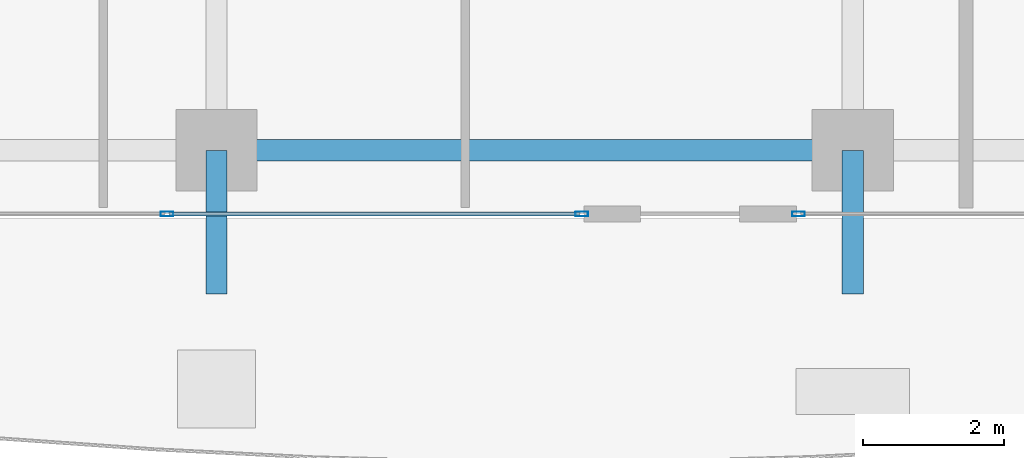
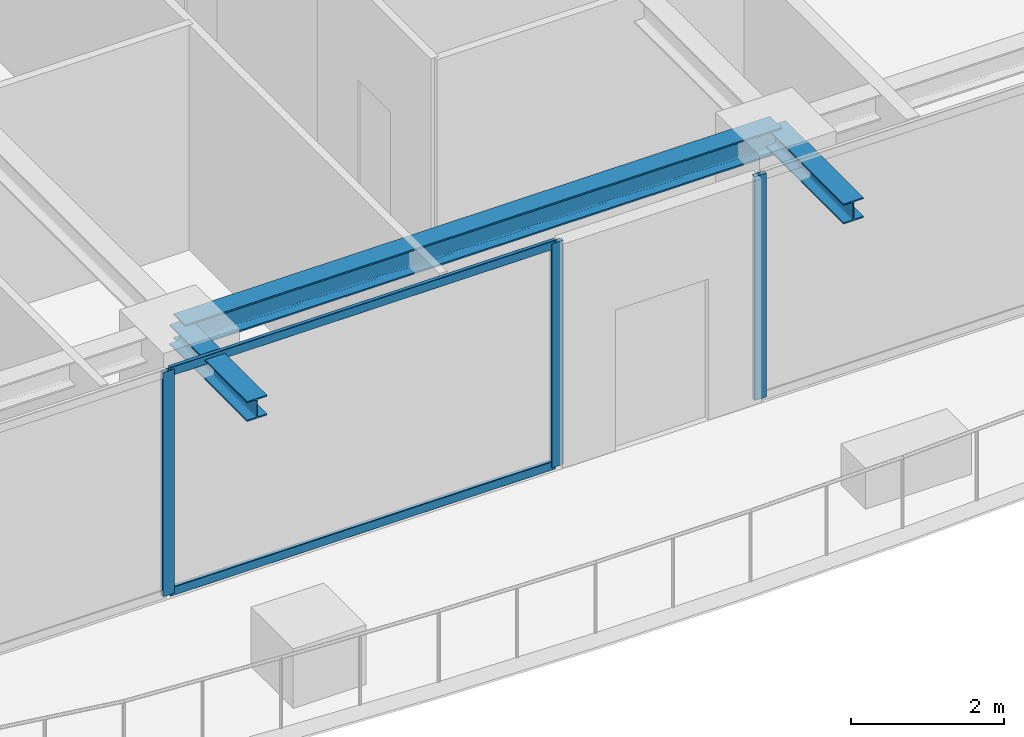
# One storey, part 5 of 38: 5 members, 3 beams, 2 elements without a shape of their own.
"""IFC4 building model written with IfcOpenShell, lengths in metres."""

from ifc_helpers import new_model, si_unit, direction, frame, origin, origin_2d, place, context, subcontext, project, spatial, hollow_rectangle, i_section, extrude, source, transform, mapped, material, layer, layer_set, material_profile, profile_set, type_object, element, aggregate, save


model = new_model("IFC4")

# Units and contexts
model_context = context("Model", 3, precision=1e-05, world=origin(), true_north=direction((0.0, 1.0)))
body_context = subcontext(model_context, "Body", "Model", "MODEL_VIEW")
ifc_project = project(units=[si_unit("LENGTHUNIT", "METRE"), si_unit("AREAUNIT", "SQUARE_METRE"), si_unit("VOLUMEUNIT", "CUBIC_METRE"), si_unit("PLANEANGLEUNIT", "RADIAN"), si_unit("MASSUNIT", "GRAM", prefix="KILO")], contexts=[model_context])

# Site, building, storey
site_placement = place(None, origin())
site = spatial("IfcSite", under=ifc_project, at=site_placement, CompositionType="ELEMENT")
building_placement = place(site_placement, origin())
building = spatial("IfcBuilding", under=site, at=building_placement, Name="Serunith Strait Residences", CompositionType="ELEMENT")
storey_placement = place(building_placement, frame((0.0, 0.0, 229.699951171875)))
storey = spatial("IfcBuildingStorey", under=building, at=storey_placement, Name="L57", CompositionType="ELEMENT", Elevation=229.699951171875)

# Beams
ifc_material_1 = material(Name="Steel S355J2", Category="steel")
ifc_material_profile_1 = material_profile(ifc_material_1, i_section(OverallWidth=0.300048828125, OverallDepth=0.39990234375, WebThickness=0.013427734375, FlangeThickness=0.02392578125, FilletRadius=0.027099609375, at=origin_2d()), Name="HEB 400")
ifc_profile_set_1 = profile_set([ifc_material_profile_1], Name="Steel S355J2")
beam_type_1 = type_object("IfcBeamType", Name="BM-HEB400", PredefinedType="BEAM", material=ifc_profile_set_1)
shared_shape_1 = source(origin(), body_context, "Body", "SweptSolid", [
    extrude(i_section(OverallWidth=0.300048828125, OverallDepth=0.39990234375, WebThickness=0.013427734375, FlangeThickness=0.02392578125, FilletRadius=0.027099609375, at=origin_2d()), origin(), (0.0, 0.0, 1.0), 9.0),
])
beam_placement = place(storey_placement, frame((27.89990234375, 2.10009765625, 3.386962890625), z_axis=(1.0, 0.0, 0.0), x_axis=(0.0, 1.0, 0.0)))
element("IfcBeam", 1, at=beam_placement, inside=storey, type_object=beam_type_1, Name="L57 Perimeter Ring Beam 02", PredefinedType="BEAM", context=body_context, shape_type="MappedRepresentation", body=[
    mapped(shared_shape_1, transform((0.0, 0.0, 0.0), scale=1.0)),
])
ifc_material_profile_2 = material_profile(ifc_material_1, i_section(OverallWidth=0.300048828125, OverallDepth=0.320068359375, WebThickness=0.011474609375, FlangeThickness=0.0205078125, FilletRadius=0.027099609375, at=origin_2d()), Name="HEB 320")
ifc_profile_set_2 = profile_set([ifc_material_profile_2], Name="Steel S355J2")
beam_type_2 = type_object("IfcBeamType", Name="BM-HEB320", PredefinedType="BEAM", material=ifc_profile_set_2)
shared_shape_2 = source(origin(), body_context, "Body", "SweptSolid", [
    extrude(i_section(OverallWidth=0.300048828125, OverallDepth=0.320068359375, WebThickness=0.011474609375, FlangeThickness=0.0205078125, FilletRadius=0.027099609375, at=origin_2d()), origin(), (0.0, 0.0, 1.0), 2.030029296875),
])
for number, where, z_axis, x_axis, name in (
    (2, (27.89990234375, 2.10009765625, 3.39697265625), (0.0, -1.0, 0.0), (1.0, 0.0, 0.0), "L58 Cantilevered Balcony Rib TC-S2"),
    (3, (36.89990234375, 2.10009765625, 3.39697265625), (0.0, -1.0, 0.0), (1.0, 0.0, 0.0), "L58 Cantilevered Balcony Rib TC-S3"),
):
    element("IfcBeam", number, at=place(storey_placement, frame(where, z_axis=z_axis, x_axis=x_axis)), inside=storey, type_object=beam_type_2, Name=name, PredefinedType="BEAM", context=body_context, shape_type="MappedRepresentation", body=[
        mapped(shared_shape_2, transform((0.0, 0.0, 0.0), scale=1.0)),
    ])

# Curtain wall, members
ifc_material_2 = material(Name="Pale-Champagne Anodised Aluminium", Category="aluminium")
ifc_layer = layer(ifc_material_2, 0.199951171875, Name="Pale-Champagne Anodised Aluminium")
ifc_layer_set = layer_set([ifc_layer], Name="Pale-Champagne Anodised Aluminium")
curtain_wall_type = type_object("IfcCurtainWallType", Name="CW-SYS4", PredefinedType="NOTDEFINED", material=ifc_layer_set)
curtain_wall_1_placement = place(storey_placement, origin())
curtain_wall_1 = element("IfcCurtainWall", 4, at=curtain_wall_1_placement, inside=storey, type_object=curtain_wall_type, Name="L57 S Unitised Fritted Curtain Wall", PredefinedType="NOTDEFINED")
ifc_material_profile_3 = material_profile(ifc_material_2, hollow_rectangle(XDim=0.06494140625, YDim=0.179931640625, WallThickness=0.00341796875, InnerFilletRadius=0.00537109375, OuterFilletRadius=0.0087890625, at=origin_2d()), Name="ALU 180x65x3.5")
ifc_profile_set_3 = profile_set([ifc_material_profile_3], Name="Pale-Champagne Anodised Aluminium")
member_type_1 = type_object("IfcMemberType", Name="CW-SYS4-MULL", PredefinedType="MULLION", material=ifc_profile_set_3)
shared_shape_3 = source(origin(), body_context, "Body", "SweptSolid", [
    extrude(hollow_rectangle(XDim=0.06494140625, YDim=0.179931640625, WallThickness=0.00341796875, InnerFilletRadius=0.00537109375, OuterFilletRadius=0.0087890625, at=origin_2d()), origin(), (0.0, 0.0, 1.0), 3.574951171875),
])
member_1_placement = place(storey_placement, frame((27.199951171875, 1.199951171875, 0.0), z_axis=(0.0, 0.0, 1.0), x_axis=(0.0, 1.0, 0.0)))
member_1 = element("IfcMember", 5, at=member_1_placement, type_object=member_type_1, Name="CW-4 mullion 3", PredefinedType="MULLION", context=body_context, shape_type="MappedRepresentation", body=[
    mapped(shared_shape_3, transform((0.0, 0.0, 0.0), scale=1.0)),
])
member_2_placement = place(storey_placement, frame((33.0673828125, 1.199951171875, 0.0), z_axis=(0.0, 0.0, 1.0), x_axis=(0.0, 1.0, 0.0)))
member_2 = element("IfcMember", 6, at=member_2_placement, type_object=member_type_1, Name="CW-4 mullion 4", PredefinedType="MULLION", context=body_context, shape_type="MappedRepresentation", body=[
    mapped(shared_shape_3, transform((0.0, 0.0, 0.0), scale=1.0)),
])

# Curtain wall, member
curtain_wall_2_placement = place(storey_placement, origin())
curtain_wall_2 = element("IfcCurtainWall", 7, at=curtain_wall_2_placement, inside=storey, type_object=curtain_wall_type, Name="L57 S Unitised Fritted Curtain Wall", PredefinedType="NOTDEFINED")
member_3_placement = place(storey_placement, frame((36.132568359375, 1.199951171875, 0.0), z_axis=(0.0, 0.0, 1.0), x_axis=(0.0, 1.0, 0.0)))
member_3 = element("IfcMember", 8, at=member_3_placement, type_object=member_type_1, Name="CW-4 mullion 1", PredefinedType="MULLION", context=body_context, shape_type="MappedRepresentation", body=[
    mapped(shared_shape_3, transform((0.0, 0.0, 0.0), scale=1.0)),
])
aggregate(curtain_wall_2, [member_3])

# Member
ifc_material_profile_4 = material_profile(ifc_material_2, hollow_rectangle(XDim=0.06005859375, YDim=0.139892578125, WallThickness=0.00341796875, InnerFilletRadius=0.00537109375, OuterFilletRadius=0.0087890625, at=origin_2d()), Name="ALU 140x60x3.5")
ifc_profile_set_4 = profile_set([ifc_material_profile_4], Name="Pale-Champagne Anodised Aluminium")
member_type_2 = type_object("IfcMemberType", Name="CW-SYS4-TRAN", PredefinedType="USERDEFINED", material=ifc_profile_set_4)
shared_shape_4 = source(origin(), body_context, "Body", "SweptSolid", [
    extrude(hollow_rectangle(XDim=0.06005859375, YDim=0.139892578125, WallThickness=0.00341796875, InnerFilletRadius=0.00537109375, OuterFilletRadius=0.0087890625, at=origin_2d()), origin(), (0.0, 0.0, 1.0), 5.802490234375),
])
member_4_placement = place(storey_placement, frame((27.232421875, 1.199951171875, 0.030029296875), z_axis=(1.0, 0.0, 0.0), x_axis=(0.0, 1.0, 0.0)))
member_4 = element("IfcMember", 9, at=member_4_placement, type_object=member_type_2, Name="CW-4 transom 3.1", ObjectType="TRANSOM", PredefinedType="USERDEFINED", context=body_context, shape_type="MappedRepresentation", body=[
    mapped(shared_shape_4, transform((0.0, 0.0, 0.0), scale=1.0)),
])

member_5_placement = place(storey_placement, frame((27.232421875, 1.199951171875, 3.545166015625), z_axis=(1.0, 0.0, 0.0), x_axis=(0.0, 1.0, 0.0)))
member_5 = element("IfcMember", 10, at=member_5_placement, type_object=member_type_2, Name="CW-4 transom 3.2", ObjectType="TRANSOM", PredefinedType="USERDEFINED", context=body_context, shape_type="MappedRepresentation", body=[
    mapped(shared_shape_4, transform((0.0, 0.0, 0.0), scale=1.0)),
])

aggregate(curtain_wall_1, [member_1, member_2, member_4, member_5])

save(model, "model.ifc")
